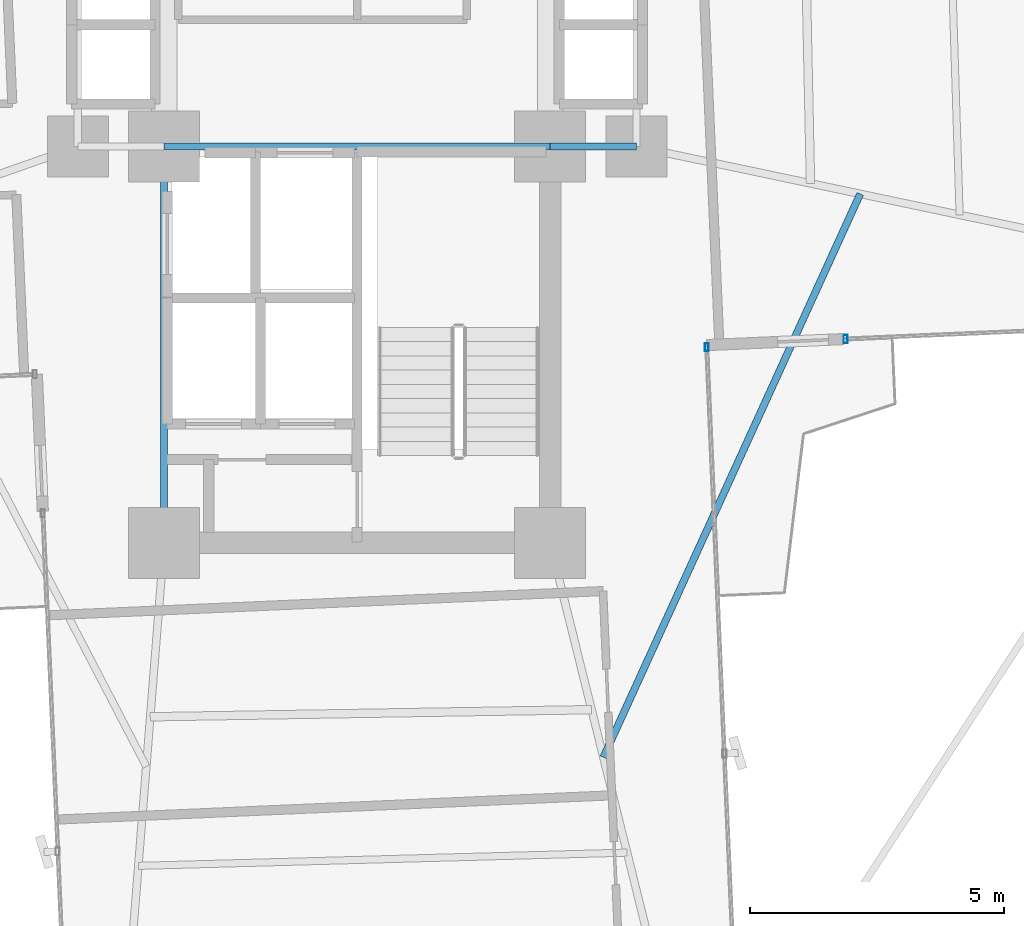
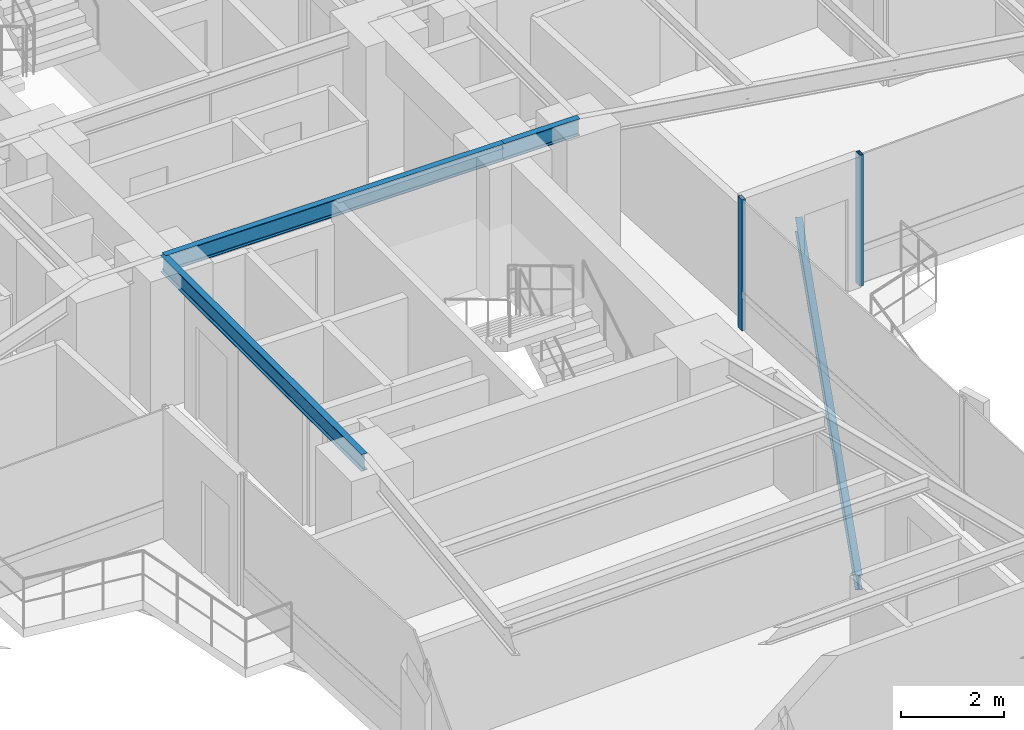
# One storey, part 11 of 26: 4 beams, 2 members, 2 elements without a shape of their own.
"""IFC4 building model written with IfcOpenShell, lengths in metres."""

from ifc_helpers import new_model, si_unit, direction, frame, origin, origin_2d, place, context, subcontext, project, spatial, hollow_rectangle, i_section, extrude, source, transform, mapped, material, material_profile, profile_set, type_object, element, aggregate, save


model = new_model("IFC4")

# Units and contexts
model_context = context("Model", 3, precision=1e-05, world=origin(), true_north=direction((0.0, 1.0)))
body_context = subcontext(model_context, "Body", "Model", "MODEL_VIEW")
ifc_project = project(units=[si_unit("LENGTHUNIT", "METRE"), si_unit("AREAUNIT", "SQUARE_METRE"), si_unit("VOLUMEUNIT", "CUBIC_METRE"), si_unit("PLANEANGLEUNIT", "RADIAN"), si_unit("MASSUNIT", "GRAM", prefix="KILO")], contexts=[model_context])

# Site, building, storey
site_placement = place(None, origin())
site = spatial("IfcSite", under=ifc_project, at=site_placement, CompositionType="ELEMENT")
building_placement = place(site_placement, origin())
building = spatial("IfcBuilding", under=site, at=building_placement, Name="Sahyath Konkavel Grand Hotel", CompositionType="ELEMENT")
storey_placement = place(building_placement, frame((0.0, 0.0, 114.800048828125)))
storey = spatial("IfcBuildingStorey", under=building, at=storey_placement, Name="L31", CompositionType="ELEMENT", Elevation=114.800048828125)

# Beams
ifc_material_1 = material(Name="Steel E350", Category="steel")
ifc_material_profile_1 = material_profile(ifc_material_1, i_section(OverallWidth=0.139892578125, OverallDepth=0.39990234375, WebThickness=0.0087890625, FlangeThickness=0.01611328125, FilletRadius=0.013916015625, at=origin_2d()), Name="ISMB 400")
ifc_profile_set_1 = profile_set([ifc_material_profile_1], Name="Steel E350")
beam_type_1 = type_object("IfcBeamType", Name="BM-ISMB400", PredefinedType="BEAM", material=ifc_profile_set_1)
shared_shape_1 = source(origin(), body_context, "Body", "SweptSolid", [
    extrude(i_section(OverallWidth=0.139892578125, OverallDepth=0.39990234375, WebThickness=0.0087890625, FlangeThickness=0.01611328125, FilletRadius=0.013916015625, at=origin_2d()), origin(), (0.0, 0.0, 1.0), 7.60009765625),
])
beam_1_placement = place(storey_placement, frame((-3.800048828125, -2.39990234375, 2.909912109375), z_axis=(1.0, 0.0, 0.0), x_axis=(0.0, 1.0, 0.0)))
element("IfcBeam", 1, at=beam_1_placement, inside=storey, type_object=beam_type_1, Name="str:bm:L31:SC-N", PredefinedType="BEAM", context=body_context, shape_type="MappedRepresentation", body=[
    mapped(shared_shape_1, transform((0.0, 0.0, 0.0), scale=1.0)),
])
shared_shape_2 = source(origin(), body_context, "Body", "SweptSolid", [
    extrude(i_section(OverallWidth=0.139892578125, OverallDepth=0.39990234375, WebThickness=0.0087890625, FlangeThickness=0.01611328125, FilletRadius=0.013916015625, at=origin_2d()), origin(), (0.0, 0.0, 1.0), 7.800048828125),
])
beam_2_placement = place(storey_placement, frame((-3.800048828125, -10.199951171875, 2.909912109375), z_axis=(0.0, 1.0, 0.0), x_axis=(-1.0, 0.0, 0.0)))
element("IfcBeam", 2, at=beam_2_placement, inside=storey, type_object=beam_type_1, Name="str:bm:L31:SC-W", PredefinedType="BEAM", context=body_context, shape_type="MappedRepresentation", body=[
    mapped(shared_shape_2, transform((0.0, 0.0, 0.0), scale=1.0)),
])
shared_shape_3 = source(origin(), body_context, "Body", "SweptSolid", [
    extrude(i_section(OverallWidth=0.139892578125, OverallDepth=0.39990234375, WebThickness=0.0087890625, FlangeThickness=0.01611328125, FilletRadius=0.013916015625, at=origin_2d()), origin(), (0.0, 0.0, 1.0), 1.699951171875),
])
beam_3_placement = place(storey_placement, frame((3.800048828125, -2.39990234375, 2.909912109375), z_axis=(1.0, 0.0, 0.0), x_axis=(0.0, 1.0, 0.0)))
element("IfcBeam", 3, at=beam_3_placement, inside=storey, type_object=beam_type_1, Name="str:bm:L31:HB-SE", PredefinedType="BEAM", context=body_context, shape_type="MappedRepresentation", body=[
    mapped(shared_shape_3, transform((0.0, 0.0, 0.0), scale=1.0)),
])

# Curtain wall, member
ifc_material_2 = material(Name="Anodised Bronze Aluminium & Low-E Glazing", Category="aluminium")
curtain_wall_type = type_object("IfcCurtainWallType", Name="CW-ZONE2", PredefinedType="NOTDEFINED", material=ifc_material_2)
curtain_wall_1_placement = place(storey_placement, origin())
curtain_wall_1 = element("IfcCurtainWall", 4, at=curtain_wall_1_placement, inside=storey, type_object=curtain_wall_type, Name="L31 Unitised Curtain Wall F0", PredefinedType="NOTDEFINED")
ifc_material_3 = material(Name="Anodised Bronze Aluminium", Category="aluminium")
ifc_material_profile_2 = material_profile(ifc_material_3, hollow_rectangle(XDim=0.080078125, YDim=0.159912109375, WallThickness=0.006103515625, at=origin_2d()), Name="RHS 160x80x6")
ifc_profile_set_2 = profile_set([ifc_material_profile_2], Name="Anodised Bronze Aluminium")
member_type = type_object("IfcMemberType", Name="CW-MUL-160", PredefinedType="MULLION", material=ifc_profile_set_2)
shared_shape_4 = source(origin(), body_context, "Body", "SweptSolid", [
    extrude(hollow_rectangle(XDim=0.080078125, YDim=0.159912109375, WallThickness=0.006103515625, at=origin_2d()), origin(), (0.0, 0.0, 1.0), 3.10986328125),
])
member_1_placement = place(storey_placement, frame((9.618896484375, -6.186279296875, 0.0), z_axis=(0.0, 0.0, 1.0), x_axis=(1.0, 0.0, 0.0)))
member_1 = element("IfcMember", 5, at=member_1_placement, type_object=member_type, Name="L31 Curtain Wall Mullion F0-0", PredefinedType="MULLION", context=body_context, shape_type="MappedRepresentation", body=[
    mapped(shared_shape_4, transform((0.0, 0.0, 0.0), scale=1.0)),
])
aggregate(curtain_wall_1, [member_1])

curtain_wall_2_placement = place(storey_placement, origin())
curtain_wall_2 = element("IfcCurtainWall", 6, at=curtain_wall_2_placement, inside=storey, type_object=curtain_wall_type, Name="L31 Unitised Curtain Wall F31", PredefinedType="NOTDEFINED")
member_2_placement = place(storey_placement, frame((6.88330078125, -6.345703125, 0.0), z_axis=(0.0, 0.0, 1.0), x_axis=(1.0, 0.0, 0.0)))
member_2 = element("IfcMember", 7, at=member_2_placement, type_object=member_type, Name="L31 Curtain Wall Mullion F31-2", PredefinedType="MULLION", context=body_context, shape_type="MappedRepresentation", body=[
    mapped(shared_shape_4, transform((0.0, 0.0, 0.0), scale=1.0)),
])
aggregate(curtain_wall_2, [member_2])

# Beam
ifc_material_profile_3 = material_profile(ifc_material_1, i_section(OverallWidth=0.139892578125, OverallDepth=0.35009765625, WebThickness=0.008056640625, FlangeThickness=0.01416015625, FilletRadius=0.013916015625, at=origin_2d()), Name="ISMB 350")
ifc_profile_set_3 = profile_set([ifc_material_profile_3], Name="Steel E350")
beam_type_2 = type_object("IfcBeamType", Name="BM-BALC-CANT", PredefinedType="BEAM", material=ifc_profile_set_3)
shared_shape_5 = source(origin(), body_context, "Body", "SweptSolid", [
    extrude(i_section(OverallWidth=0.139892578125, OverallDepth=0.35009765625, WebThickness=0.008056640625, FlangeThickness=0.01416015625, FilletRadius=0.013916015625, at=origin_2d()), origin(), (0.0, 0.0, 1.0), 12.190673828125),
])
beam_4_placement = place(storey_placement, frame((4.8486328125, -14.422119140625, -0.4150390625), z_axis=(0.414712580086, 0.909952458054, 0.0), x_axis=(-0.909952458054, 0.414712580086, 0.0)))
element("IfcBeam", 8, at=beam_4_placement, inside=storey, type_object=beam_type_2, Name="L31 Balcony Cantilever Support Beam SE", PredefinedType="BEAM", context=body_context, shape_type="MappedRepresentation", body=[
    mapped(shared_shape_5, transform((0.0, 0.0, 0.0), scale=1.0)),
])

save(model, "model.ifc")
